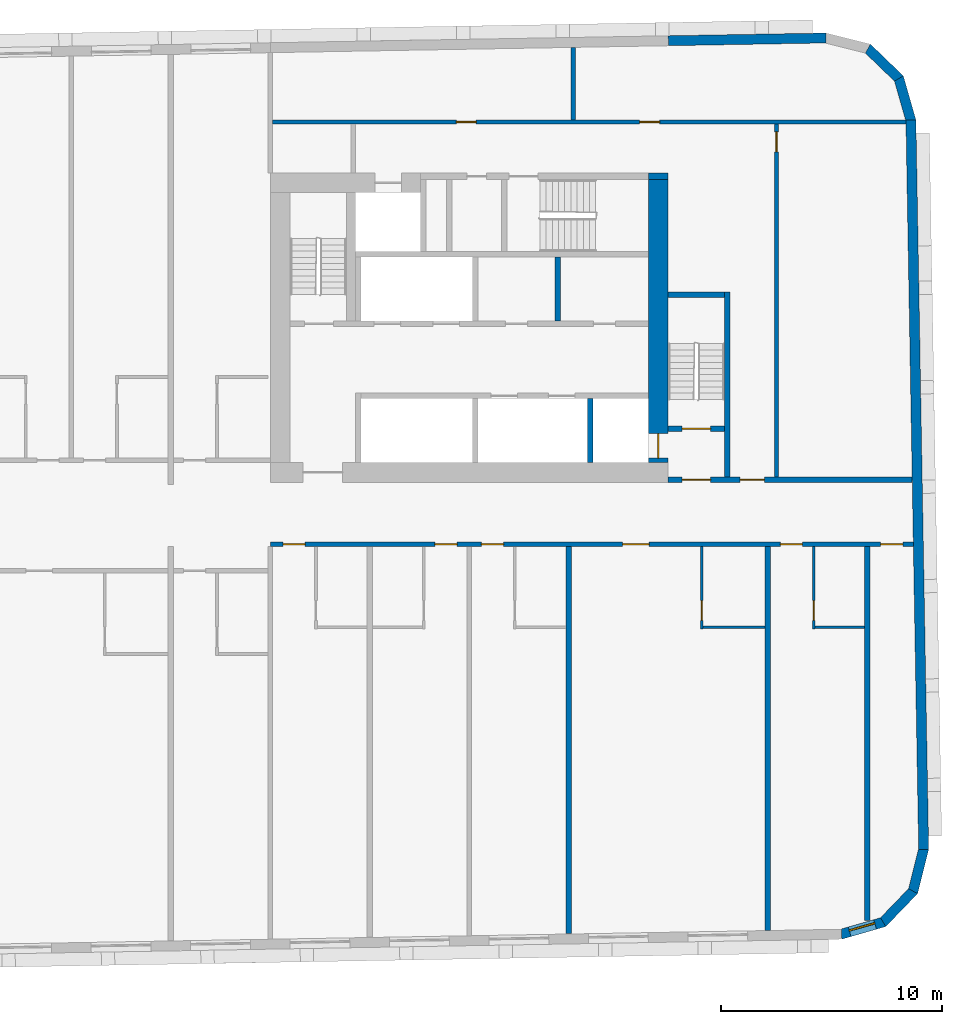
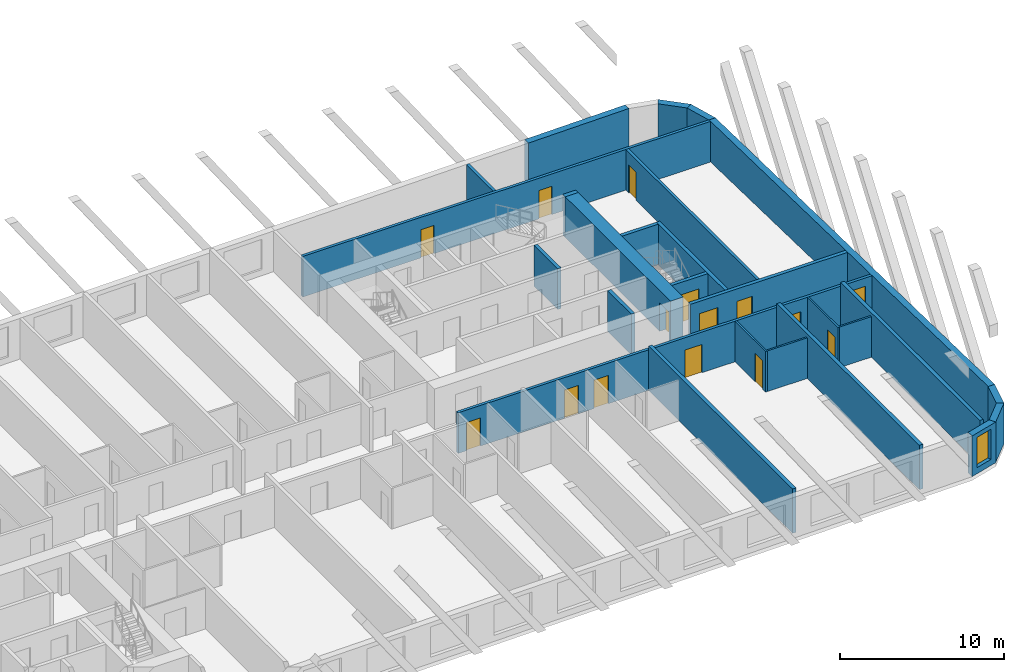
# One storey, part 7 of 13: 26 walls, 15 doors, 1 window, 16 openings.
"""IFC4 building model written with IfcOpenShell, lengths in metres."""

import ifcopenshell
import ifcopenshell.guid

model = None  # the IFC model being written
_history = None  # IfcOwnerHistory: only IFC2X3 demands one
_inside = {}  # id of a spatial element -> (the spatial element, [elements in it])
_under = {}  # id of a project, library or spatial element -> (it, [spatial elements below it])
_declared = {}  # id of a project -> (the project, [libraries it declares])
_typed = {}  # id of a type object -> (the type object, [elements of that type])
_made_of = {}  # id of a material, layer set ... -> (it, [elements and type objects made of it])


def new_model(schema):
    """Start an empty IFC model of exactly this schema.

    Asked for "IFC4X3", IfcOpenShell would pick the latest addendum, in which some entities
    have other attributes; the version numbers below select the first issue.
    IFC2X3 requires an IfcOwnerHistory on every rooted entity: one is made here for all.
    """
    global model, _history
    if schema == "IFC4X3":
        model = ifcopenshell.file(schema_version=(4, 3, 0, 0))
    else:
        model = ifcopenshell.file(schema=schema)
    _inside.clear()
    _under.clear()
    _declared.clear()
    _typed.clear()
    _made_of.clear()
    _history = None
    if model.schema == "IFC2X3":
        org = make("IfcOrganization", Name="unknown")
        user = make(
            "IfcPersonAndOrganization",
            ThePerson=make("IfcPerson", FamilyName="unknown"),
            TheOrganization=org,
        )
        app = make(
            "IfcApplication",
            ApplicationDeveloper=org,
            Version="unknown",
            ApplicationFullName="unknown",
            ApplicationIdentifier="unknown",
        )
        _history = make(
            "IfcOwnerHistory",
            OwningUser=user,
            OwningApplication=app,
            ChangeAction="ADDED",
            CreationDate=0,
        )
    return model


def make(cls, **values):
    """One entity of the class cls with the attributes given. An attribute that is None is left unset."""
    return model.create_entity(
        cls, **{name: value for name, value in values.items() if value is not None}
    )


def rooted(cls, **values):
    """An entity with a GlobalId (a new one), such as an element, a storey or a relation."""
    return make(cls, GlobalId=ifcopenshell.guid.new(), OwnerHistory=_history, **values)


def si_unit(unit_type, name, prefix=None):
    """IfcSIUnit, for example si_unit("LENGTHUNIT", "METRE", prefix="MILLI")."""
    return make("IfcSIUnit", UnitType=unit_type, Prefix=prefix, Name=name)


def assignment(units):
    """IfcUnitAssignment: the units of a project."""
    return None if units is None else make("IfcUnitAssignment", Units=units)


def point(xyz):
    """IfcCartesianPoint."""
    return None if xyz is None else make("IfcCartesianPoint", Coordinates=xyz)


def direction(xyz):
    """IfcDirection."""
    return None if xyz is None else make("IfcDirection", DirectionRatios=xyz)


def frame(location, z_axis=None, x_axis=None):
    """IfcAxis2Placement3D, a coordinate frame: its origin and axes. An axis left out is left unset."""
    return make(
        "IfcAxis2Placement3D",
        Location=point(location),
        Axis=direction(z_axis),
        RefDirection=direction(x_axis),
    )


def frame_2d(location, x_axis=None):
    """IfcAxis2Placement2D, a coordinate frame in the plane: its origin and x axis."""
    return make(
        "IfcAxis2Placement2D", Location=point(location), RefDirection=direction(x_axis)
    )


def origin():
    """The frame at (0, 0, 0) with its axes left unset."""
    return frame((0.0, 0.0, 0.0))


def place(relative_to, where):
    """IfcLocalPlacement: puts the frame where relative to a parent placement (None: the world)."""
    return make(
        "IfcLocalPlacement", PlacementRelTo=relative_to, RelativePlacement=where
    )


def context(
    kind, dimensions, precision=None, world=None, true_north=None, identifier=None
):
    """IfcGeometricRepresentationContext, for example the 3D "Model" context."""
    return make(
        "IfcGeometricRepresentationContext",
        ContextIdentifier=identifier,
        ContextType=kind,
        CoordinateSpaceDimension=dimensions,
        Precision=precision,
        WorldCoordinateSystem=world,
        TrueNorth=true_north,
    )


def subcontext(parent, identifier, kind, view, scale=None):
    """IfcGeometricRepresentationSubContext, for example "Body" below "Model"."""
    return make(
        "IfcGeometricRepresentationSubContext",
        ContextIdentifier=identifier,
        ContextType=kind,
        ParentContext=parent,
        TargetScale=scale,
        TargetView=view,
    )


def project(units=None, contexts=None):
    """IfcProject with its units and contexts."""
    return rooted(
        "IfcProject",
        Name="project",
        RepresentationContexts=contexts,
        UnitsInContext=assignment(units),
    )


def spatial(cls, under=None, at=None, **own):
    """A site, building, storey or space (cls), placed at a placement, below another one or the project."""
    s = rooted(cls, ObjectPlacement=at, **own)
    if under is not None:
        _under.setdefault(under.id(), (under, []))[1].append(s)
    return s


def polyline(points):
    """IfcPolyline through the points."""
    return make("IfcPolyline", Points=[point(p) for p in points])


def profile(cls, at=None, kind="AREA", **sizes):
    """A parametric profile (cls). Its sizes go by their IFC names, for example OverallWidth=200.0."""
    return make(cls, ProfileType=kind, Position=at, **sizes)


def rectangle(**sizes):
    """IfcRectangleProfileDef."""
    return profile("IfcRectangleProfileDef", **sizes)


def outline(outer, holes=None, kind="AREA"):
    """IfcArbitraryClosedProfileDef: a profile drawn as a closed curve; with holes, ...WithVoids."""
    if holes is None:
        return make("IfcArbitraryClosedProfileDef", ProfileType=kind, OuterCurve=outer)
    return make(
        "IfcArbitraryProfileDefWithVoids",
        ProfileType=kind,
        OuterCurve=outer,
        InnerCurves=holes,
    )


def extrude(swept, where, along, depth):
    """IfcExtrudedAreaSolid: the profile swept, set in the frame where, extruded along a direction by depth."""
    return make(
        "IfcExtrudedAreaSolid",
        SweptArea=swept,
        Position=where,
        ExtrudedDirection=direction(along),
        Depth=depth,
    )


def shape(context_of_items, identifier, shape_type, items):
    """IfcShapeRepresentation: the items that make up one representation, for example the "Body"."""
    return make(
        "IfcShapeRepresentation",
        ContextOfItems=context_of_items,
        RepresentationIdentifier=identifier,
        RepresentationType=shape_type,
        Items=items,
    )


def material(Name=None, Category=None):
    """IfcMaterial."""
    return make("IfcMaterial", Name=Name, Category=Category)


def layer(
    of_material, thickness, ventilated=None, Name=None, Category=None, Priority=None
):
    """IfcMaterialLayer: one layer of a wall or slab, of a material (None: an air gap)."""
    return make(
        "IfcMaterialLayer",
        Material=of_material,
        LayerThickness=thickness,
        IsVentilated=ventilated,
        Name=Name,
        Category=Category,
        Priority=Priority,
    )


def layer_set(layers, Name=None):
    """IfcMaterialLayerSet."""
    return make("IfcMaterialLayerSet", MaterialLayers=layers, LayerSetName=Name)


def made_of(thing, what):
    """Note that an element or type object is made of a material, layer set ...; save() writes the relation."""
    if what is not None:
        _made_of.setdefault(what.id(), (what, []))[1].append(thing)
    return thing


def type_object(cls, material=None, **own):
    """A type object (cls), such as IfcWallType, which elements share."""
    return made_of(rooted(cls, **own), material)


def element(
    cls,
    number,
    at=None,
    inside=None,
    cuts=None,
    type_object=None,
    material=None,
    context=None,
    identifier="Body",
    shape_type=None,
    held_by="IfcProductDefinitionShape",
    body=None,
    shapes=None,
    **own,
):
    """One element of the class cls, such as IfcWall. Its Tag is "e" and its number.

    at: its placement. inside: the storey or other place that contains it. cuts: it is an
    opening in that element (IfcRelVoidsElement). A single representation is given by context,
    identifier, shape_type and body (its items); several are given by shapes. held_by: the class
    of the entity that holds the representations. save() writes the other relations.
    """
    e = rooted(cls, Tag="e%d" % number, ObjectPlacement=at, **own)
    if body is not None:
        shapes = [shape(context, identifier, shape_type, body)]
    if shapes is not None:
        e.Representation = make(held_by, Representations=shapes)
    if inside is not None:
        _inside.setdefault(inside.id(), (inside, []))[1].append(e)
    if cuts is not None:
        rooted(
            "IfcRelVoidsElement", RelatingBuildingElement=cuts, RelatedOpeningElement=e
        )
    if type_object is not None:
        _typed.setdefault(type_object.id(), (type_object, []))[1].append(e)
    return made_of(e, material)


def fill(opening, filler):
    """IfcRelFillsElement: the door or window that sits in an opening."""
    return rooted(
        "IfcRelFillsElement",
        RelatingOpeningElement=opening,
        RelatedBuildingElement=filler,
    )


def aggregate(whole, parts):
    """IfcRelAggregates: a whole, such as a stair, and the parts it consists of."""
    return rooted("IfcRelAggregates", RelatingObject=whole, RelatedObjects=parts)


def save(model, path):
    """Write the relations noted so far, then the file.

    IfcRelAggregates (storeys below a building ...), IfcRelContainedInSpatialStructure (elements
    in a storey), IfcRelDefinesByType, IfcRelAssociatesMaterial and IfcRelDeclares: one each for
    every whole, place, type object, material and project.
    """
    for whole, parts in _under.values():
        aggregate(whole, parts)
    for where, things in _inside.values():
        rooted(
            "IfcRelContainedInSpatialStructure",
            RelatedElements=things,
            RelatingStructure=where,
        )
    for kind, things in _typed.values():
        rooted("IfcRelDefinesByType", RelatedObjects=things, RelatingType=kind)
    for what, things in _made_of.values():
        rooted("IfcRelAssociatesMaterial", RelatedObjects=things, RelatingMaterial=what)
    for by, libraries in _declared.values():
        rooted("IfcRelDeclares", RelatingContext=by, RelatedDefinitions=libraries)
    model.write(path)


model = new_model("IFC4")

# Units and contexts
model_context = context("Model", 3, precision=1e-05, world=origin(), true_north=direction((0.0, 1.0)))
body_context = subcontext(model_context, "Body", "Model", "MODEL_VIEW")
ifc_project = project(units=[si_unit("LENGTHUNIT", "METRE"), si_unit("AREAUNIT", "SQUARE_METRE"), si_unit("VOLUMEUNIT", "CUBIC_METRE"), si_unit("PLANEANGLEUNIT", "RADIAN"), si_unit("MASSUNIT", "GRAM", prefix="KILO")], contexts=[model_context])

# Site, building, storey
site_placement = place(None, origin())
site = spatial("IfcSite", under=ifc_project, at=site_placement, CompositionType="ELEMENT")
building_placement = place(site_placement, origin())
building = spatial("IfcBuilding", under=site, at=building_placement, Name="Kajstack Hotel Tower", CompositionType="ELEMENT")
storey_placement = place(building_placement, frame((0.0, 0.0, 237.5)))
storey = spatial("IfcBuildingStorey", under=building, at=storey_placement, Name="L58", CompositionType="ELEMENT", Elevation=237.5)

# Wall
ifc_material_1 = material(Name="Concrete C60/75", Category="concrete")
ifc_layer_1 = layer(ifc_material_1, 0.89990234375)
ifc_layer_set_1 = layer_set([ifc_layer_1], Name="Core wall 900")
wall_type_1 = type_object("IfcWallType", Name="Core wall 900", PredefinedType="SHEAR", material=ifc_layer_set_1)
wall_1_placement = place(storey_placement, frame((30.60009765625, 15.35009765625, 0.0), z_axis=(0.0, 0.0, 1.0), x_axis=(1.0, 0.0, 0.0)))
element("IfcWall", 1, at=wall_1_placement, inside=storey, type_object=wall_type_1, Name="Core wall E RSW", PredefinedType="SHEAR", context=body_context, shape_type="SweptSolid", body=[
    extrude(rectangle(XDim=0.89990234375, YDim=0.300048828125, at=frame_2d((0.449951171875, 0.0))), origin(), (0.0, 0.0, 1.0), 3.02001953125),
])

# Wall, opening, door
wall_2_placement = place(storey_placement, frame((31.050048828125, 2.39990234375, 0.0), z_axis=(0.0, 0.0, 1.0), x_axis=(0.0, 1.0, 0.0)))
wall_2 = element("IfcWall", 2, at=wall_2_placement, inside=storey, type_object=wall_type_1, Name="Core wall E RW", PredefinedType="SHEAR", context=body_context, shape_type="SweptSolid", body=[
    extrude(rectangle(XDim=12.800048828125, YDim=0.89990234375, at=frame_2d((6.39990234375, 0.0))), origin(), (0.0, 0.0, 1.0), 3.02001953125),
])
opening_1_placement = place(wall_2_placement, frame((0.199951171875, 0.0, 0.0)))
opening_1 = element("IfcOpeningElement", 3, at=opening_1_placement, cuts=wall_2, Name="Opening LD-FF2", PredefinedType="OPENING", context=body_context, shape_type="SweptSolid", body=[
    extrude(rectangle(XDim=1.10009765625, YDim=2.10009765625, at=frame_2d((0.550048828125, 1.050048828125))), frame((0.0, 0.4599609375, 0.0), z_axis=(0.0, -1.0, 0.0), x_axis=(1.0, 0.0, 0.0)), (0.0, 0.0, 1.0), 0.919921875),
])
ifc_material_2 = material(Name="Stainless steel", Category="steel")
door_type_1 = type_object("IfcDoorType", Name="Fire-fighting lift landing door 1100", OperationType="SLIDING_TO_LEFT", PredefinedType="DOOR", material=ifc_material_2)
door_1_placement = place(opening_1_placement, origin())
door_1 = element("IfcDoor", 4, at=door_1_placement, inside=storey, type_object=door_type_1, Name="Landing door FF2", OperationType="SLIDING_TO_LEFT", OverallHeight=2.10009765625, OverallWidth=1.10009765625, PredefinedType="DOOR", context=body_context, shape_type="SweptSolid", body=[
    extrude(rectangle(XDim=1.10009765625, YDim=2.10009765625, at=frame_2d((0.550048828125, 1.050048828125))), frame((0.0, 0.02490234375, 0.0), z_axis=(0.0, -1.0, 0.0), x_axis=(1.0, 0.0, 0.0)), (0.0, 0.0, 1.0), 0.050048828125),
])
fill(opening_1, door_1)

# Wall, openings, doors
ifc_material_3 = material(Name="Gypsum board on steel studs, mineral wool", Category="steel")
ifc_layer_2 = layer(ifc_material_3, 0.199951171875)
ifc_layer_set_2 = layer_set([ifc_layer_2], Name="Corridor wall 200")
wall_type_2 = type_object("IfcWallType", Name="Corridor wall 200", PredefinedType="PARTITIONING", material=ifc_layer_set_2)
wall_3_placement = place(storey_placement, frame((13.5, -1.300048828125, 0.0), z_axis=(0.0, 0.0, 1.0), x_axis=(1.0, 0.0, 0.0)))
wall_3 = element("IfcWall", 5, at=wall_3_placement, inside=storey, type_object=wall_type_2, Name="G-wall-L58-034", PredefinedType="PARTITIONING", context=body_context, shape_type="SweptSolid", body=[
    extrude(rectangle(XDim=29.091064453125, YDim=0.199951171875, at=frame_2d((14.54541015625, 0.0))), origin(), (0.0, 0.0, 1.0), 3.02001953125),
])
opening_2_placement = place(wall_3_placement, frame((0.574951171875, 0.0, 0.0)))
opening_2 = element("IfcOpeningElement", 6, at=opening_2_placement, cuts=wall_3, Name="Opening 58033", PredefinedType="OPENING", context=body_context, shape_type="SweptSolid", body=[
    extrude(rectangle(XDim=1.0, YDim=2.10009765625, at=frame_2d((0.5, 1.050048828125))), frame((0.0, 0.10986328125, 0.0), z_axis=(0.0, -1.0, 0.0), x_axis=(1.0, 0.0, 0.0)), (0.0, 0.0, 1.0), 0.219970703125),
])
opening_3_placement = place(wall_3_placement, frame((7.449951171875, 0.0, 0.0)))
opening_3 = element("IfcOpeningElement", 7, at=opening_3_placement, cuts=wall_3, Name="Opening 58035", PredefinedType="OPENING", context=body_context, shape_type="SweptSolid", body=[
    extrude(rectangle(XDim=1.0, YDim=2.10009765625, at=frame_2d((0.5, 1.050048828125))), frame((0.0, 0.10986328125, 0.0), z_axis=(0.0, -1.0, 0.0), x_axis=(1.0, 0.0, 0.0)), (0.0, 0.0, 1.0), 0.219970703125),
])
opening_4_placement = place(wall_3_placement, frame((9.550048828125, 0.0, 0.0)))
opening_4 = element("IfcOpeningElement", 8, at=opening_4_placement, cuts=wall_3, Name="Opening 58037", PredefinedType="OPENING", context=body_context, shape_type="SweptSolid", body=[
    extrude(rectangle(XDim=1.0, YDim=2.10009765625, at=frame_2d((0.5, 1.050048828125))), frame((0.0, 0.10986328125, 0.0), z_axis=(0.0, -1.0, 0.0), x_axis=(1.0, 0.0, 0.0)), (0.0, 0.0, 1.0), 0.219970703125),
])
opening_5_placement = place(wall_3_placement, frame((15.93798828125, 0.0, 0.0)))
opening_5 = element("IfcOpeningElement", 9, at=opening_5_placement, cuts=wall_3, Name="Opening 58039", PredefinedType="OPENING", context=body_context, shape_type="SweptSolid", body=[
    extrude(rectangle(XDim=1.199951171875, YDim=2.10009765625, at=frame_2d((0.60009765625, 1.050048828125))), frame((0.0, 0.10986328125, 0.0), z_axis=(0.0, -1.0, 0.0), x_axis=(1.0, 0.0, 0.0)), (0.0, 0.0, 1.0), 0.219970703125),
])
opening_6_placement = place(wall_3_placement, frame((23.074951171875, 0.0, 0.0)))
opening_6 = element("IfcOpeningElement", 10, at=opening_6_placement, cuts=wall_3, Name="Opening 58041", PredefinedType="OPENING", context=body_context, shape_type="SweptSolid", body=[
    extrude(rectangle(XDim=1.0, YDim=2.10009765625, at=frame_2d((0.5, 1.050048828125))), frame((0.0, 0.10986328125, 0.0), z_axis=(0.0, -1.0, 0.0), x_axis=(1.0, 0.0, 0.0)), (0.0, 0.0, 1.0), 0.219970703125),
])
opening_7_placement = place(wall_3_placement, frame((27.611083984375, 0.0, 0.0)))
opening_7 = element("IfcOpeningElement", 11, at=opening_7_placement, cuts=wall_3, Name="Opening 58043", PredefinedType="OPENING", context=body_context, shape_type="SweptSolid", body=[
    extrude(rectangle(XDim=1.0, YDim=2.39990234375, at=frame_2d((0.5, 1.199951171875))), frame((0.0, 0.10986328125, 0.0), z_axis=(0.0, -1.0, 0.0), x_axis=(1.0, 0.0, 0.0)), (0.0, 0.0, 1.0), 0.219970703125),
])
ifc_material_4 = material(Name="Oak veneer on timber core, fire-rated leaf", Category="wood")
door_type_2 = type_object("IfcDoorType", Name="Flat entrance door 1000", OperationType="SINGLE_SWING_LEFT", PredefinedType="DOOR", material=ifc_material_4)
door_2_placement = place(opening_2_placement, origin())
door_2 = element("IfcDoor", 12, at=door_2_placement, inside=storey, type_object=door_type_2, Name="G-door-L58-33", OperationType="SINGLE_SWING_RIGHT", OverallHeight=2.10009765625, OverallWidth=1.0, PredefinedType="DOOR", context=body_context, shape_type="SweptSolid", body=[
    extrude(rectangle(XDim=1.0, YDim=2.10009765625, at=frame_2d((0.5, 1.050048828125))), frame((0.0, 0.02490234375, 0.0), z_axis=(0.0, -1.0, 0.0), x_axis=(1.0, 0.0, 0.0)), (0.0, 0.0, 1.0), 0.050048828125),
])
fill(opening_2, door_2)
door_3_placement = place(opening_3_placement, origin())
door_3 = element("IfcDoor", 13, at=door_3_placement, inside=storey, type_object=door_type_2, Name="G-door-L58-35", OperationType="SINGLE_SWING_LEFT", OverallHeight=2.10009765625, OverallWidth=1.0, PredefinedType="DOOR", context=body_context, shape_type="SweptSolid", body=[
    extrude(rectangle(XDim=1.0, YDim=2.10009765625, at=frame_2d((0.5, 1.050048828125))), frame((0.0, 0.02490234375, 0.0), z_axis=(0.0, -1.0, 0.0), x_axis=(1.0, 0.0, 0.0)), (0.0, 0.0, 1.0), 0.050048828125),
])
fill(opening_3, door_3)
door_4_placement = place(opening_4_placement, origin())
door_4 = element("IfcDoor", 14, at=door_4_placement, inside=storey, type_object=door_type_2, Name="G-door-L58-37", OperationType="SINGLE_SWING_RIGHT", OverallHeight=2.10009765625, OverallWidth=1.0, PredefinedType="DOOR", context=body_context, shape_type="SweptSolid", body=[
    extrude(rectangle(XDim=1.0, YDim=2.10009765625, at=frame_2d((0.5, 1.050048828125))), frame((0.0, 0.02490234375, 0.0), z_axis=(0.0, -1.0, 0.0), x_axis=(1.0, 0.0, 0.0)), (0.0, 0.0, 1.0), 0.050048828125),
])
fill(opening_4, door_4)
door_5_placement = place(opening_6_placement, origin())
door_5 = element("IfcDoor", 15, at=door_5_placement, inside=storey, type_object=door_type_2, Name="G-door-L58-41", OperationType="SINGLE_SWING_RIGHT", OverallHeight=2.10009765625, OverallWidth=1.0, PredefinedType="DOOR", context=body_context, shape_type="SweptSolid", body=[
    extrude(rectangle(XDim=1.0, YDim=2.10009765625, at=frame_2d((0.5, 1.050048828125))), frame((0.0, 0.02490234375, 0.0), z_axis=(0.0, -1.0, 0.0), x_axis=(1.0, 0.0, 0.0)), (0.0, 0.0, 1.0), 0.050048828125),
])
fill(opening_6, door_5)
door_type_3 = type_object("IfcDoorType", Name="Flat entrance door 1200", OperationType="SINGLE_SWING_LEFT", PredefinedType="DOOR", material=ifc_material_4)
door_6_placement = place(opening_5_placement, origin())
door_6 = element("IfcDoor", 16, at=door_6_placement, inside=storey, type_object=door_type_3, Name="G-door-L58-39", OperationType="SINGLE_SWING_RIGHT", OverallHeight=2.10009765625, OverallWidth=1.199951171875, PredefinedType="DOOR", context=body_context, shape_type="SweptSolid", body=[
    extrude(rectangle(XDim=1.199951171875, YDim=2.10009765625, at=frame_2d((0.60009765625, 1.050048828125))), frame((0.0, 0.02490234375, 0.0), z_axis=(0.0, -1.0, 0.0), x_axis=(1.0, 0.0, 0.0)), (0.0, 0.0, 1.0), 0.050048828125),
])
fill(opening_5, door_6)
ifc_material_5 = material(Name="Steel-faced door leaf, fire-rated", Category="steel")
door_type_4 = type_object("IfcDoorType", Name="Store door 1000", OperationType="SINGLE_SWING_LEFT", PredefinedType="DOOR", material=ifc_material_5)
door_7_placement = place(opening_7_placement, origin())
door_7 = element("IfcDoor", 17, at=door_7_placement, inside=storey, type_object=door_type_4, Name="G-door-L58-43", OperationType="SINGLE_SWING_LEFT", OverallHeight=2.39990234375, OverallWidth=1.0, PredefinedType="DOOR", context=body_context, shape_type="SweptSolid", body=[
    extrude(rectangle(XDim=1.0, YDim=2.39990234375, at=frame_2d((0.5, 1.199951171875))), frame((0.0, 0.02490234375, 0.0), z_axis=(0.0, -1.0, 0.0), x_axis=(1.0, 0.0, 0.0)), (0.0, 0.0, 1.0), 0.050048828125),
])
fill(opening_7, door_7)

# Wall, opening, window
ifc_material_6 = material(Name="Terracotta-faced brick masonry", Category="masonry")
ifc_layer_3 = layer(ifc_material_6, 0.449951171875)
ifc_layer_set_3 = layer_set([ifc_layer_3], Name="EW-TERRA")
wall_type_3 = type_object("IfcWallType", Name="EW-TERRA", PredefinedType="SOLIDWALL", material=ifc_layer_set_3)
wall_4_placement = place(storey_placement, frame((39.290283203125, -18.952392578125, 0.0), z_axis=(0.0, 0.0, 1.0), x_axis=(0.961247584925, 0.275686562016, 0.0)))
wall_4 = element("IfcWall", 18, at=wall_4_placement, inside=storey, type_object=wall_type_3, Name="E-wall-L58-05-00", PredefinedType="SOLIDWALL", context=body_context, shape_type="SweptSolid", body=[
    extrude(outline(polyline([(0.0, -0.224853515625), (2.070556640625, -0.22509765625), (1.949951171875, 0.224853515625), (0.12060546875, 0.22509765625), (0.0, -0.224853515625)])), origin(), (0.0, 0.0, 1.0), 3.02001953125),
])
opening_8_placement = place(wall_4_placement, frame((0.435302734375, 0.0, 0.449951171875)))
opening_8 = element("IfcOpeningElement", 19, at=opening_8_placement, cuts=wall_4, Name="Opening W3", PredefinedType="OPENING", context=body_context, shape_type="SweptSolid", body=[
    extrude(rectangle(XDim=1.199951171875, YDim=2.25, at=frame_2d((0.60009765625, 1.125))), frame((0.0, 0.23486328125, 0.0), z_axis=(0.0, -1.0, 0.0), x_axis=(1.0, 0.0, 0.0)), (0.0, 0.0, 1.0), 0.469970703125),
])
ifc_material_7 = material(Name="Timber-aluminium window, triple glazed", Category="wood")
window_type = type_object("IfcWindowType", Name="WG3", PartitioningType="SINGLE_PANEL", PredefinedType="WINDOW", material=ifc_material_7)
window_placement = place(opening_8_placement, origin())
window = element("IfcWindow", 20, at=window_placement, inside=storey, type_object=window_type, Name="Window W3 L58-05", OverallHeight=2.25, OverallWidth=1.199951171875, PartitioningType="SINGLE_PANEL", PredefinedType="WINDOW", context=body_context, shape_type="SweptSolid", body=[
    extrude(rectangle(XDim=1.199951171875, YDim=2.25, at=frame_2d((0.60009765625, 1.125))), frame((0.0, 0.090087890625, 0.0), z_axis=(0.0, -1.0, 0.0), x_axis=(1.0, 0.0, 0.0)), (0.0, 0.0, 1.0), 0.06005859375),
])
fill(opening_8, window)

# Walls
wall_5_placement = place(storey_placement, frame((41.1806640625, -18.441650390625, 0.0), z_axis=(0.0, 0.0, 1.0), x_axis=(0.694678672846, 0.719320193998, 0.0)))
element("IfcWall", 21, at=wall_5_placement, inside=storey, type_object=wall_type_3, Name="E-wall-L58-06-00", PredefinedType="SOLIDWALL", context=body_context, shape_type="SweptSolid", body=[
    extrude(outline(polyline([(0.0, -0.22509765625), (2.07080078125, -0.224853515625), (1.9501953125, 0.22509765625), (0.12060546875, 0.22509765625), (0.0, -0.22509765625)])), origin(), (0.0, 0.0, 1.0), 3.02001953125),
])
wall_6_placement = place(storey_placement, frame((42.562744140625, -17.053955078125, 0.0), z_axis=(0.0, 0.0, 1.0), x_axis=(0.241841950319, 0.970315655375, 0.0)))
element("IfcWall", 22, at=wall_6_placement, inside=storey, type_object=wall_type_3, Name="E-wall-L58-07-00", PredefinedType="SOLIDWALL", context=body_context, shape_type="SweptSolid", body=[
    extrude(outline(polyline([(0.0, -0.224853515625), (2.070556640625, -0.22509765625), (1.949951171875, 0.224853515625), (0.12060546875, 0.22509765625), (0.0, -0.224853515625)])), origin(), (0.0, 0.0, 1.0), 3.02001953125),
])
wall_7_placement = place(storey_placement, frame((43.056884765625, -15.103271484375, 0.0), z_axis=(0.0, 0.0, 1.0), x_axis=(-0.017452408953, 0.999847695112, 0.0)))
element("IfcWall", 23, at=wall_7_placement, inside=storey, type_object=wall_type_3, Name="E-wall-L58-08-00", PredefinedType="SOLIDWALL", context=body_context, shape_type="SweptSolid", body=[
    extrude(rectangle(XDim=33.0, YDim=0.449951171875, at=frame_2d((16.5, 0.0))), origin(), (0.0, 0.0, 1.0), 3.02001953125),
])
wall_8_placement = place(storey_placement, frame((42.489501953125, 17.83349609375, 0.0), z_axis=(0.0, 0.0, 1.0), x_axis=(-0.275546368831, 0.961287781377, 0.0)))
element("IfcWall", 24, at=wall_8_placement, inside=storey, type_object=wall_type_3, Name="E-wall-L58-09-00", PredefinedType="SOLIDWALL", context=body_context, shape_type="SweptSolid", body=[
    extrude(outline(polyline([(0.0, -0.22509765625), (2.070556640625, -0.224853515625), (1.949951171875, 0.22509765625), (0.12060546875, 0.224853515625), (0.0, -0.22509765625)])), origin(), (0.0, 0.0, 1.0), 3.02001953125),
])
wall_9_placement = place(storey_placement, frame((41.97900390625, 19.72412109375, 0.0), z_axis=(0.0, 0.0, 1.0), x_axis=(-0.719379111448, 0.694617660308, 0.0)))
element("IfcWall", 25, at=wall_9_placement, inside=storey, type_object=wall_type_3, Name="E-wall-L58-10-00", PredefinedType="SOLIDWALL", context=body_context, shape_type="SweptSolid", body=[
    extrude(outline(polyline([(0.0, -0.224853515625), (2.070556640625, -0.22509765625), (1.949951171875, 0.224853515625), (0.12060546875, 0.22509765625), (0.0, -0.224853515625)])), origin(), (0.0, 0.0, 1.0), 3.02001953125),
])
wall_10_placement = place(storey_placement, frame((38.640625, 21.600341796875, 0.0), z_axis=(0.0, 0.0, 1.0), x_axis=(-0.999847245074, -0.017478172627, 0.0)))
element("IfcWall", 26, at=wall_10_placement, inside=storey, type_object=wall_type_3, Name="E-wall-L58-12-00", PredefinedType="SOLIDWALL", context=body_context, shape_type="SweptSolid", body=[
    extrude(rectangle(XDim=7.1376953125, YDim=0.449951171875, at=frame_2d((3.56884765625, 0.0))), origin(), (0.0, 0.0, 1.0), 3.02001953125),
])

# Wall, opening, door
ifc_material_8 = material(Name="Gypsum board and tiled backer on steel studs", Category="steel")
ifc_layer_4 = layer(ifc_material_8, 0.125)
ifc_layer_set_4 = layer_set([ifc_layer_4], Name="En-suite wall 125")
wall_type_4 = type_object("IfcWallType", Name="En-suite wall 125", PredefinedType="PARTITIONING", material=ifc_layer_set_4)
wall_11_placement = place(storey_placement, frame((33.012939453125, -5.125, 0.0), z_axis=(0.0, 0.0, 1.0), x_axis=(0.0, 1.0, 0.0)))
wall_11 = element("IfcWall", 27, at=wall_11_placement, inside=storey, type_object=wall_type_4, Name="G-wall-L58-052", PredefinedType="PARTITIONING", context=body_context, shape_type="SweptSolid", body=[
    extrude(rectangle(XDim=3.72509765625, YDim=0.125, at=frame_2d((1.862548828125, 0.0))), origin(), (0.0, 0.0, 1.0), 3.02001953125),
])
opening_9_placement = place(wall_11_placement, frame((0.375, 0.0, 0.0)))
opening_9 = element("IfcOpeningElement", 28, at=opening_9_placement, cuts=wall_11, Name="Opening 58040", PredefinedType="OPENING", context=body_context, shape_type="SweptSolid", body=[
    extrude(rectangle(XDim=0.89990234375, YDim=2.10009765625, at=frame_2d((0.449951171875, 1.050048828125))), frame((0.0, 0.072509765625, 0.0), z_axis=(0.0, -1.0, 0.0), x_axis=(1.0, 0.0, 0.0)), (0.0, 0.0, 1.0), 0.14501953125),
])
ifc_material_9 = material(Name="Painted timber door leaf", Category="wood")
door_type_5 = type_object("IfcDoorType", Name="Room door 900", OperationType="SINGLE_SWING_LEFT", PredefinedType="DOOR", material=ifc_material_9)
door_8_placement = place(opening_9_placement, origin())
door_8 = element("IfcDoor", 29, at=door_8_placement, inside=storey, type_object=door_type_5, Name="G-door-L58-40", OperationType="SINGLE_SWING_RIGHT", OverallHeight=2.10009765625, OverallWidth=0.89990234375, PredefinedType="DOOR", context=body_context, shape_type="SweptSolid", body=[
    extrude(rectangle(XDim=0.89990234375, YDim=2.10009765625, at=frame_2d((0.449951171875, 1.050048828125))), frame((0.0, 0.02490234375, 0.0), z_axis=(0.0, -1.0, 0.0), x_axis=(1.0, 0.0, 0.0)), (0.0, 0.0, 1.0), 0.050048828125),
])
fill(opening_9, door_8)

# Wall
wall_12_placement = place(storey_placement, frame((33.074951171875, -5.06201171875, 0.0), z_axis=(0.0, 0.0, 1.0), x_axis=(1.0, 0.0, 0.0)))
element("IfcWall", 30, at=wall_12_placement, inside=storey, type_object=wall_type_4, Name="G-wall-L58-053", PredefinedType="PARTITIONING", context=body_context, shape_type="SweptSolid", body=[
    extrude(rectangle(XDim=2.800048828125, YDim=0.125, at=frame_2d((1.39990234375, 0.0))), origin(), (0.0, 0.0, 1.0), 3.02001953125),
])

# Wall, opening, door
wall_13_placement = place(storey_placement, frame((38.0869140625, -5.125, 0.0), z_axis=(0.0, 0.0, 1.0), x_axis=(0.0, 1.0, 0.0)))
wall_13 = element("IfcWall", 31, at=wall_13_placement, inside=storey, type_object=wall_type_4, Name="G-wall-L58-054", PredefinedType="PARTITIONING", context=body_context, shape_type="SweptSolid", body=[
    extrude(rectangle(XDim=3.72509765625, YDim=0.125, at=frame_2d((1.862548828125, 0.0))), origin(), (0.0, 0.0, 1.0), 3.02001953125),
])
opening_10_placement = place(wall_13_placement, frame((0.375, 0.0, 0.0)))
opening_10 = element("IfcOpeningElement", 32, at=opening_10_placement, cuts=wall_13, Name="Opening 58042", PredefinedType="OPENING", context=body_context, shape_type="SweptSolid", body=[
    extrude(rectangle(XDim=0.89990234375, YDim=2.10009765625, at=frame_2d((0.449951171875, 1.050048828125))), frame((0.0, 0.072509765625, 0.0), z_axis=(0.0, -1.0, 0.0), x_axis=(1.0, 0.0, 0.0)), (0.0, 0.0, 1.0), 0.14501953125),
])
door_9_placement = place(opening_10_placement, origin())
door_9 = element("IfcDoor", 33, at=door_9_placement, inside=storey, type_object=door_type_5, Name="G-door-L58-42", OperationType="SINGLE_SWING_LEFT", OverallHeight=2.10009765625, OverallWidth=0.89990234375, PredefinedType="DOOR", context=body_context, shape_type="SweptSolid", body=[
    extrude(rectangle(XDim=0.89990234375, YDim=2.10009765625, at=frame_2d((0.449951171875, 1.050048828125))), frame((0.0, 0.02490234375, 0.0), z_axis=(0.0, -1.0, 0.0), x_axis=(1.0, 0.0, 0.0)), (0.0, 0.0, 1.0), 0.050048828125),
])
fill(opening_10, door_9)

# Walls
wall_14_placement = place(storey_placement, frame((38.14990234375, -5.06201171875, 0.0), z_axis=(0.0, 0.0, 1.0), x_axis=(1.0, 0.0, 0.0)))
element("IfcWall", 34, at=wall_14_placement, inside=storey, type_object=wall_type_4, Name="G-wall-L58-055", PredefinedType="PARTITIONING", context=body_context, shape_type="SweptSolid", body=[
    extrude(rectangle(XDim=2.22509765625, YDim=0.125, at=frame_2d((1.112548828125, 0.0))), origin(), (0.0, 0.0, 1.0), 3.02001953125),
])
ifc_material_10 = material(Name="Concrete C45/55", Category="concrete")
ifc_layer_5 = layer(ifc_material_10, 0.25)
ifc_layer_set_5 = layer_set([ifc_layer_5], Name="RC cross wall 250 C45/55")
wall_type_5 = type_object("IfcWallType", Name="RC cross wall 250 C45/55", PredefinedType="SHEAR", material=ifc_layer_set_5)
wall_15_placement = place(storey_placement, frame((27.0, -18.922119140625, 0.0), z_axis=(0.0, 0.0, 1.0), x_axis=(0.0, 1.0, 0.0)))
element("IfcWall", 35, at=wall_15_placement, inside=storey, type_object=wall_type_5, Name="S-wall-L58-11", PredefinedType="SHEAR", context=body_context, shape_type="SweptSolid", body=[
    extrude(rectangle(XDim=17.522216796875, YDim=0.25, at=frame_2d((8.76123046875, 0.0))), origin(), (0.0, 0.0, 1.0), 3.300048828125),
])
wall_16_placement = place(storey_placement, frame((36.0, -18.764892578125, 0.0), z_axis=(0.0, 0.0, 1.0), x_axis=(0.0, 1.0, 0.0)))
element("IfcWall", 36, at=wall_16_placement, inside=storey, type_object=wall_type_5, Name="S-wall-L58-12", PredefinedType="SHEAR", context=body_context, shape_type="SweptSolid", body=[
    extrude(rectangle(XDim=17.364990234375, YDim=0.25, at=frame_2d((8.6826171875, 0.0))), origin(), (0.0, 0.0, 1.0), 3.300048828125),
])
wall_17_placement = place(storey_placement, frame((40.5, -18.3251953125, 0.0), z_axis=(0.0, 0.0, 1.0), x_axis=(0.0, 1.0, 0.0)))
element("IfcWall", 37, at=wall_17_placement, inside=storey, type_object=wall_type_5, Name="S-wall-L58-13", PredefinedType="SHEAR", context=body_context, shape_type="SweptSolid", body=[
    extrude(rectangle(XDim=16.92529296875, YDim=0.25, at=frame_2d((8.462646484375, 0.0))), origin(), (0.0, 0.0, 1.0), 3.300048828125),
])
ifc_material_11 = material(Name="Concrete block masonry", Category="masonry")
ifc_layer_6 = layer(ifc_material_11, 0.25)
ifc_layer_set_6 = layer_set([ifc_layer_6], Name="Riser partition 250")
wall_type_6 = type_object("IfcWallType", Name="Riser partition 250", PredefinedType="PARTITIONING", material=ifc_layer_set_6)
wall_18_placement = place(storey_placement, frame((26.5, 8.800048828125, 0.0), z_axis=(0.0, 0.0, 1.0), x_axis=(0.0, 1.0, 0.0)))
element("IfcWall", 38, at=wall_18_placement, inside=storey, type_object=wall_type_6, Name="Partition E BF0", PredefinedType="PARTITIONING", context=body_context, shape_type="SweptSolid", body=[
    extrude(rectangle(XDim=2.89990234375, YDim=0.25, at=frame_2d((1.449951171875, 0.0))), origin(), (0.0, 0.0, 1.0), 3.02001953125),
])

# Wall, openings, doors
ifc_layer_7 = layer(ifc_material_3, 0.199951171875)
ifc_layer_set_7 = layer_set([ifc_layer_7], Name="Service partition 200")
wall_type_7 = type_object("IfcWallType", Name="Service partition 200", PredefinedType="PARTITIONING", material=ifc_layer_set_7)
wall_19_placement = place(storey_placement, frame((31.5, 1.625, 0.0), z_axis=(0.0, 0.0, 1.0), x_axis=(1.0, 0.0, 0.0)))
wall_19 = element("IfcWall", 39, at=wall_19_placement, inside=storey, type_object=wall_type_7, Name="Partition E SN", PredefinedType="PARTITIONING", context=body_context, shape_type="SweptSolid", body=[
    extrude(rectangle(XDim=11.039794921875, YDim=0.25, at=frame_2d((5.52001953125, 0.0))), origin(), (0.0, 0.0, 1.0), 3.02001953125),
])
opening_11_placement = place(wall_19_placement, frame((0.625, 0.0, 0.0)))
opening_11 = element("IfcOpeningElement", 40, at=opening_11_placement, cuts=wall_19, Name="Opening 58E08", PredefinedType="OPENING", context=body_context, shape_type="SweptSolid", body=[
    extrude(rectangle(XDim=1.300048828125, YDim=2.10009765625, at=frame_2d((0.64990234375, 1.050048828125))), frame((0.0, 0.135009765625, 0.0), z_axis=(0.0, -1.0, 0.0), x_axis=(1.0, 0.0, 0.0)), (0.0, 0.0, 1.0), 0.27001953125),
])
opening_12_placement = place(wall_19_placement, frame((3.25, 0.0, 0.0)))
opening_12 = element("IfcOpeningElement", 41, at=opening_12_placement, cuts=wall_19, Name="Opening 58E10", PredefinedType="OPENING", context=body_context, shape_type="SweptSolid", body=[
    extrude(rectangle(XDim=1.10009765625, YDim=2.10009765625, at=frame_2d((0.550048828125, 1.050048828125))), frame((0.0, 0.135009765625, 0.0), z_axis=(0.0, -1.0, 0.0), x_axis=(1.0, 0.0, 0.0)), (0.0, 0.0, 1.0), 0.27001953125),
])
ifc_material_12 = material(Name="Steel leaf, fire-rated", Category="steel")
door_type_6 = type_object("IfcDoorType", Name="Fire lobby door 1300", OperationType="SINGLE_SWING_LEFT", PredefinedType="DOOR", material=ifc_material_12)
door_10_placement = place(opening_11_placement, origin())
door_10 = element("IfcDoor", 42, at=door_10_placement, inside=storey, type_object=door_type_6, Name="Door 58E08", OperationType="SINGLE_SWING_LEFT", OverallHeight=2.10009765625, OverallWidth=1.300048828125, PredefinedType="DOOR", context=body_context, shape_type="SweptSolid", body=[
    extrude(rectangle(XDim=1.300048828125, YDim=2.10009765625, at=frame_2d((0.64990234375, 1.050048828125))), frame((0.0, 0.02490234375, 0.0), z_axis=(0.0, -1.0, 0.0), x_axis=(1.0, 0.0, 0.0)), (0.0, 0.0, 1.0), 0.050048828125),
])
fill(opening_11, door_10)
ifc_material_13 = material(Name="Timber leaf, fire-rated", Category="wood")
door_type_7 = type_object("IfcDoorType", Name="Service corridor door 1100", OperationType="SINGLE_SWING_LEFT", PredefinedType="DOOR", material=ifc_material_13)
door_11_placement = place(opening_12_placement, origin())
door_11 = element("IfcDoor", 43, at=door_11_placement, inside=storey, type_object=door_type_7, Name="Door 58E10", OperationType="SINGLE_SWING_LEFT", OverallHeight=2.10009765625, OverallWidth=1.10009765625, PredefinedType="DOOR", context=body_context, shape_type="SweptSolid", body=[
    extrude(rectangle(XDim=1.10009765625, YDim=2.10009765625, at=frame_2d((0.550048828125, 1.050048828125))), frame((0.0, 0.02490234375, 0.0), z_axis=(0.0, -1.0, 0.0), x_axis=(1.0, 0.0, 0.0)), (0.0, 0.0, 1.0), 0.050048828125),
])
fill(opening_12, door_11)

# Wall, opening, door
wall_20_placement = place(storey_placement, frame((36.39990234375, 1.75, 0.0), z_axis=(0.0, 0.0, 1.0), x_axis=(0.0, 1.0, 0.0)))
wall_20 = element("IfcWall", 44, at=wall_20_placement, inside=storey, type_object=wall_type_7, Name="Partition E WRE", PredefinedType="PARTITIONING", context=body_context, shape_type="SweptSolid", body=[
    extrude(rectangle(XDim=15.949951171875, YDim=0.199951171875, at=frame_2d((7.97509765625, 0.0))), origin(), (0.0, 0.0, 1.0), 3.02001953125),
])
opening_13_placement = place(wall_20_placement, frame((14.699951171875, 0.0, 0.0)))
opening_13 = element("IfcOpeningElement", 45, at=opening_13_placement, cuts=wall_20, Name="Opening 58E18", PredefinedType="OPENING", context=body_context, shape_type="SweptSolid", body=[
    extrude(rectangle(XDim=0.89990234375, YDim=2.10009765625, at=frame_2d((0.449951171875, 1.050048828125))), frame((0.0, 0.10986328125, 0.0), z_axis=(0.0, -1.0, 0.0), x_axis=(1.0, 0.0, 0.0)), (0.0, 0.0, 1.0), 0.219970703125),
])
door_type_8 = type_object("IfcDoorType", Name="Service door 900", OperationType="SINGLE_SWING_LEFT", PredefinedType="DOOR", material=ifc_material_13)
door_12_placement = place(opening_13_placement, origin())
door_12 = element("IfcDoor", 46, at=door_12_placement, inside=storey, type_object=door_type_8, Name="Door 58E18", OperationType="SINGLE_SWING_RIGHT", OverallHeight=2.10009765625, OverallWidth=0.89990234375, PredefinedType="DOOR", context=body_context, shape_type="SweptSolid", body=[
    extrude(rectangle(XDim=0.89990234375, YDim=2.10009765625, at=frame_2d((0.449951171875, 1.050048828125))), frame((0.0, 0.02490234375, 0.0), z_axis=(0.0, -1.0, 0.0), x_axis=(1.0, 0.0, 0.0)), (0.0, 0.0, 1.0), 0.050048828125),
])
fill(opening_13, door_12)

# Wall, openings, doors
wall_21_placement = place(storey_placement, frame((13.60009765625, 17.800048828125, 0.0), z_axis=(0.0, 0.0, 1.0), x_axis=(1.0, 0.0, 0.0)))
wall_21 = element("IfcWall", 47, at=wall_21_placement, inside=storey, type_object=wall_type_7, Name="Partition E SLN", PredefinedType="PARTITIONING", context=body_context, shape_type="SweptSolid", body=[
    extrude(rectangle(XDim=28.657470703125, YDim=0.199951171875, at=frame_2d((14.32861328125, 0.0))), origin(), (0.0, 0.0, 1.0), 3.02001953125),
])
opening_14_placement = place(wall_21_placement, frame((16.612548828125, 0.0, 0.0)))
opening_14 = element("IfcOpeningElement", 48, at=opening_14_placement, cuts=wall_21, Name="Opening 58E16", PredefinedType="OPENING", context=body_context, shape_type="SweptSolid", body=[
    extrude(rectangle(XDim=0.89990234375, YDim=2.10009765625, at=frame_2d((0.449951171875, 1.050048828125))), frame((0.0, 0.10986328125, 0.0), z_axis=(0.0, -1.0, 0.0), x_axis=(1.0, 0.0, 0.0)), (0.0, 0.0, 1.0), 0.219970703125),
])
opening_15_placement = place(wall_21_placement, frame((8.3125, 0.0, 0.0)))
opening_15 = element("IfcOpeningElement", 49, at=opening_15_placement, cuts=wall_21, Name="Opening 58E17", PredefinedType="OPENING", context=body_context, shape_type="SweptSolid", body=[
    extrude(rectangle(XDim=0.89990234375, YDim=2.10009765625, at=frame_2d((0.449951171875, 1.050048828125))), frame((0.0, 0.10986328125, 0.0), z_axis=(0.0, -1.0, 0.0), x_axis=(1.0, 0.0, 0.0)), (0.0, 0.0, 1.0), 0.219970703125),
])
door_13_placement = place(opening_14_placement, origin())
door_13 = element("IfcDoor", 50, at=door_13_placement, inside=storey, type_object=door_type_8, Name="Door 58E16", OperationType="SINGLE_SWING_LEFT", OverallHeight=2.10009765625, OverallWidth=0.89990234375, PredefinedType="DOOR", context=body_context, shape_type="SweptSolid", body=[
    extrude(rectangle(XDim=0.89990234375, YDim=2.10009765625, at=frame_2d((0.449951171875, 1.050048828125))), frame((0.0, 0.02490234375, 0.0), z_axis=(0.0, -1.0, 0.0), x_axis=(1.0, 0.0, 0.0)), (0.0, 0.0, 1.0), 0.050048828125),
])
fill(opening_14, door_13)
door_14_placement = place(opening_15_placement, origin())
door_14 = element("IfcDoor", 51, at=door_14_placement, inside=storey, type_object=door_type_8, Name="Door 58E17", OperationType="SINGLE_SWING_LEFT", OverallHeight=2.10009765625, OverallWidth=0.89990234375, PredefinedType="DOOR", context=body_context, shape_type="SweptSolid", body=[
    extrude(rectangle(XDim=0.89990234375, YDim=2.10009765625, at=frame_2d((0.449951171875, 1.050048828125))), frame((0.0, 0.02490234375, 0.0), z_axis=(0.0, -1.0, 0.0), x_axis=(1.0, 0.0, 0.0)), (0.0, 0.0, 1.0), 0.050048828125),
])
fill(opening_15, door_14)

# Walls
wall_22_placement = place(storey_placement, frame((27.199951171875, 17.89990234375, 0.0), z_axis=(0.0, 0.0, 1.0), x_axis=(0.0, 1.0, 0.0)))
element("IfcWall", 52, at=wall_22_placement, inside=storey, type_object=wall_type_7, Name="Partition E SLP0", PredefinedType="PARTITIONING", context=body_context, shape_type="SweptSolid", body=[
    extrude(rectangle(XDim=3.27587890625, YDim=0.199951171875, at=frame_2d((1.637939453125, 0.0))), origin(), (0.0, 0.0, 1.0), 3.02001953125),
])
ifc_material_14 = material(Name="Concrete C50/60", Category="concrete")
ifc_layer_8 = layer(ifc_material_14, 0.25)
ifc_layer_set_8 = layer_set([ifc_layer_8], Name="Shaft wall 250")
wall_type_8 = type_object("IfcWallType", Name="Shaft wall 250", PredefinedType="SHEAR", material=ifc_layer_set_8)
wall_23_placement = place(storey_placement, frame((27.97509765625, 2.39990234375, 0.0), z_axis=(0.0, 0.0, 1.0), x_axis=(0.0, 1.0, 0.0)))
element("IfcWall", 53, at=wall_23_placement, inside=storey, type_object=wall_type_8, Name="Core wall E AP0", PredefinedType="SHEAR", context=body_context, shape_type="SweptSolid", body=[
    extrude(rectangle(XDim=2.900146484375, YDim=0.25, at=frame_2d((1.4501953125, 0.0))), origin(), (0.0, 0.0, 1.0), 3.02001953125),
])

# Wall, opening, door
ifc_material_15 = material(Name="Concrete C40/50", Category="concrete")
ifc_layer_9 = layer(ifc_material_15, 0.25)
ifc_layer_set_9 = layer_set([ifc_layer_9], Name="Stair enclosure wall 250")
wall_type_9 = type_object("IfcWallType", Name="Stair enclosure wall 250", PredefinedType="SHEAR", material=ifc_layer_set_9)
wall_24_placement = place(storey_placement, frame((31.5, 3.925048828125, 0.0), z_axis=(0.0, 0.0, 1.0), x_axis=(1.0, 0.0, 0.0)))
wall_24 = element("IfcWall", 54, at=wall_24_placement, inside=storey, type_object=wall_type_9, Name="Core wall E W1N", PredefinedType="SHEAR", context=body_context, shape_type="SweptSolid", body=[
    extrude(rectangle(XDim=2.550048828125, YDim=0.25, at=frame_2d((1.27490234375, 0.0))), origin(), (0.0, 0.0, 1.0), 3.02001953125),
])
opening_16_placement = place(wall_24_placement, frame((0.625, 0.0, 0.0)))
opening_16 = element("IfcOpeningElement", 55, at=opening_16_placement, cuts=wall_24, Name="Opening 58E09", PredefinedType="OPENING", context=body_context, shape_type="SweptSolid", body=[
    extrude(rectangle(XDim=1.300048828125, YDim=2.10009765625, at=frame_2d((0.64990234375, 1.050048828125))), frame((0.0, 0.135009765625, 0.0), z_axis=(0.0, -1.0, 0.0), x_axis=(1.0, 0.0, 0.0)), (0.0, 0.0, 1.0), 0.27001953125),
])
door_type_9 = type_object("IfcDoorType", Name="Stair door 1300", OperationType="SINGLE_SWING_LEFT", PredefinedType="DOOR", material=ifc_material_12)
door_15_placement = place(opening_16_placement, origin())
door_15 = element("IfcDoor", 56, at=door_15_placement, inside=storey, type_object=door_type_9, Name="Door 58E09", OperationType="SINGLE_SWING_LEFT", OverallHeight=2.10009765625, OverallWidth=1.300048828125, PredefinedType="DOOR", context=body_context, shape_type="SweptSolid", body=[
    extrude(rectangle(XDim=1.300048828125, YDim=2.10009765625, at=frame_2d((0.64990234375, 1.050048828125))), frame((0.0, 0.02490234375, 0.0), z_axis=(0.0, -1.0, 0.0), x_axis=(1.0, 0.0, 0.0)), (0.0, 0.0, 1.0), 0.050048828125),
])
fill(opening_16, door_15)

# Walls
wall_25_placement = place(storey_placement, frame((34.175048828125, 1.75, 0.0), z_axis=(0.0, 0.0, 1.0), x_axis=(0.0, 1.0, 0.0)))
element("IfcWall", 57, at=wall_25_placement, inside=storey, type_object=wall_type_9, Name="Core wall E W1W", PredefinedType="SHEAR", context=body_context, shape_type="SweptSolid", body=[
    extrude(rectangle(XDim=8.35009765625, YDim=0.25, at=frame_2d((4.175048828125, 0.0))), origin(), (0.0, 0.0, 1.0), 3.02001953125),
])
wall_26_placement = place(storey_placement, frame((31.5, 9.97509765625, 0.0), z_axis=(0.0, 0.0, 1.0), x_axis=(1.0, 0.0, 0.0)))
element("IfcWall", 58, at=wall_26_placement, inside=storey, type_object=wall_type_9, Name="Core wall E W1S", PredefinedType="SHEAR", context=body_context, shape_type="SweptSolid", body=[
    extrude(rectangle(XDim=2.550048828125, YDim=0.25, at=frame_2d((1.27490234375, 0.0))), origin(), (0.0, 0.0, 1.0), 3.02001953125),
])

save(model, "model.ifc")
